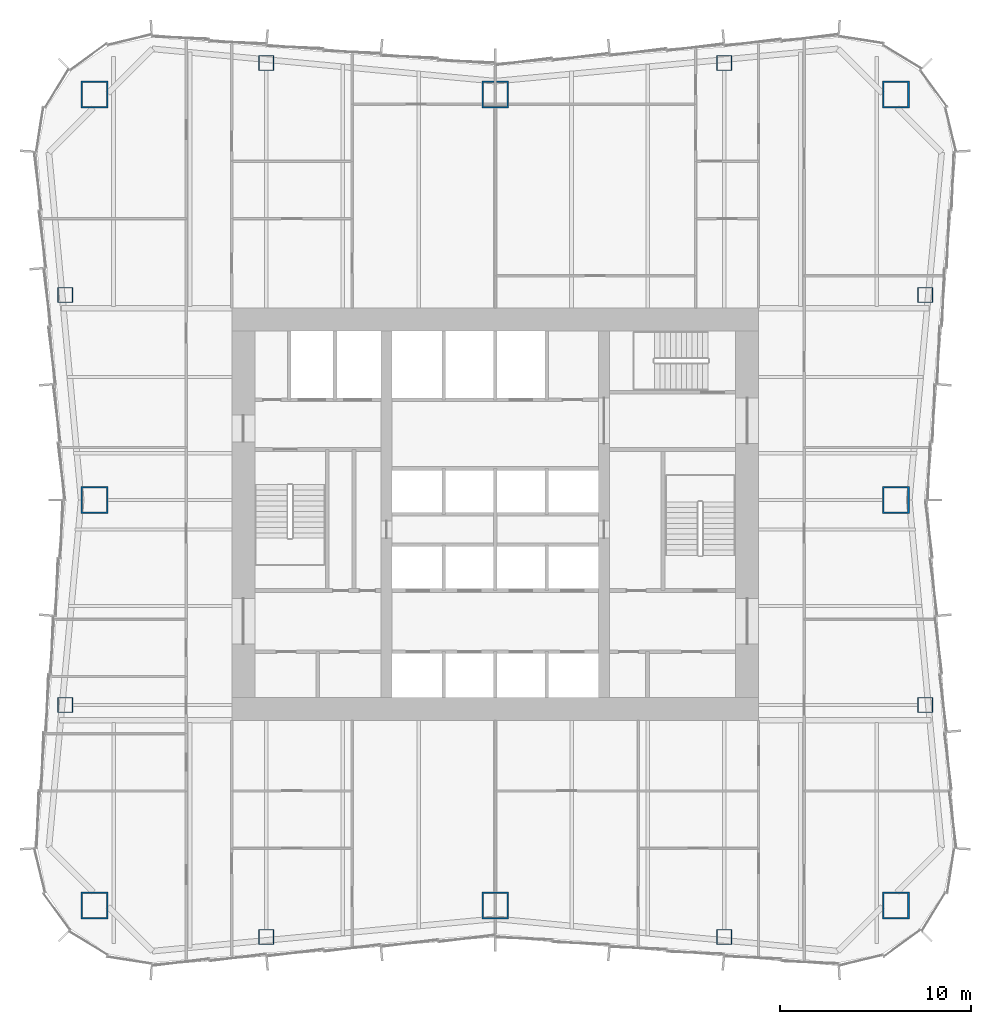
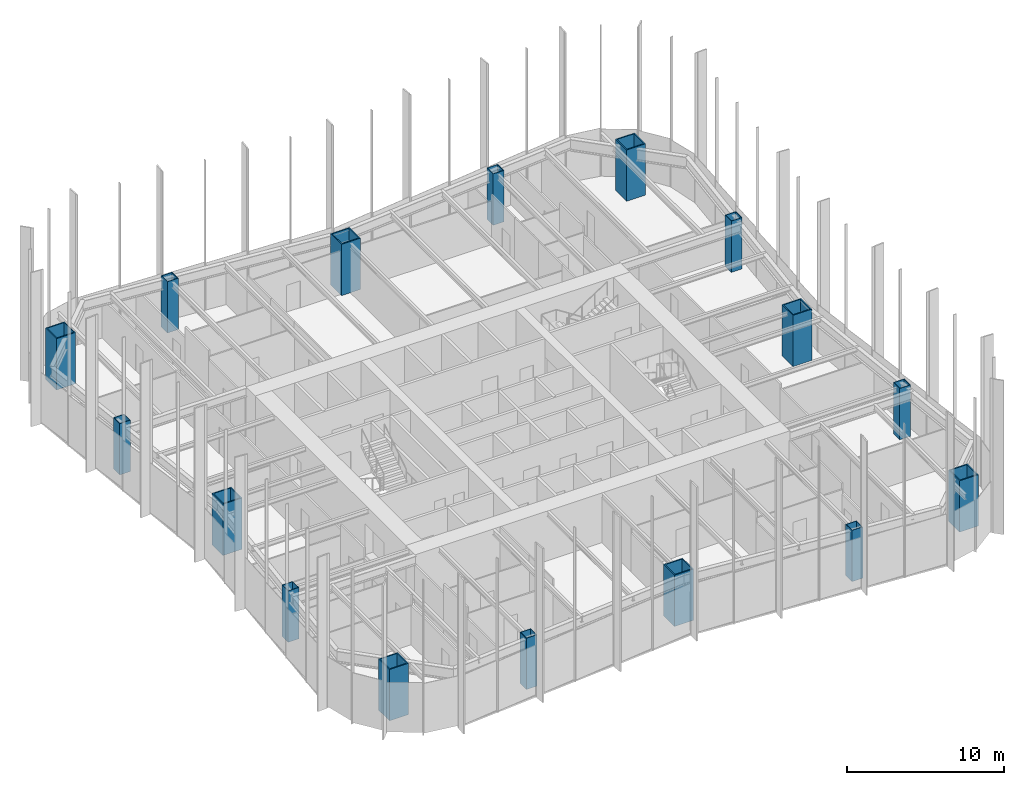
# One storey, part 1 of 13: 16 columns.
"""IFC4 building model written with IfcOpenShell, lengths in metres."""

from ifc_helpers import new_model, si_unit, direction, frame, origin, origin_2d, place, context, subcontext, project, spatial, hollow_rectangle, extrude, material, material_profile, profile_set, type_object, element, save


model = new_model("IFC4")

# Units and contexts
model_context = context("Model", 3, precision=1e-05, world=origin(), true_north=direction((0.0, 1.0)))
body_context = subcontext(model_context, "Body", "Model", "MODEL_VIEW")
ifc_project = project(units=[si_unit("LENGTHUNIT", "METRE"), si_unit("AREAUNIT", "SQUARE_METRE"), si_unit("VOLUMEUNIT", "CUBIC_METRE"), si_unit("PLANEANGLEUNIT", "RADIAN"), si_unit("MASSUNIT", "GRAM", prefix="KILO")], contexts=[model_context])

# Site, building, storey
site_placement = place(None, origin())
site = spatial("IfcSite", under=ifc_project, at=site_placement, CompositionType="ELEMENT")
building_placement = place(site_placement, origin())
building = spatial("IfcBuilding", under=site, at=building_placement, Name="Verdant Reach Tower", CompositionType="ELEMENT")
storey_placement = place(building_placement, frame((0.0, 0.0, 94.0)))
storey = spatial("IfcBuildingStorey", under=building, at=storey_placement, Name="L21", CompositionType="ELEMENT", Elevation=94.0)

# Columns
ifc_material = material(Name="Steel S460", Category="steel")
ifc_material_profile_1 = material_profile(ifc_material, hollow_rectangle(XDim=1.39990234375, YDim=1.39990234375, WallThickness=0.080078125, at=origin_2d()), Name="WB 1400x1400x80")
ifc_profile_set_1 = profile_set([ifc_material_profile_1], Name="Steel S460")
column_type_1 = type_object("IfcColumnType", Name="ST-COL-WB1400x1400x80", PredefinedType="COLUMN", material=ifc_profile_set_1)
for number, where, z_axis, x_axis, name in (
    (1, (-21.0, 50.0, 0.0), (0.0, 0.0, 1.0), (1.0, 0.0, 0.0), "Mega column north-west, L21"),
    (2, (0.0, 50.0, 0.0), (0.0, 0.0, 1.0), (1.0, 0.0, 0.0), "Mega column north, L21"),
    (3, (21.0, 50.0, 0.0), (0.0, 0.0, 1.0), (1.0, 0.0, 0.0), "Mega column north-east, L21"),
    (4, (21.0, 28.75, 0.0), (0.0, 0.0, 1.0), (1.0, 0.0, 0.0), "Mega column east, L21"),
    (5, (21.0, 7.5, 0.0), (0.0, 0.0, 1.0), (1.0, 0.0, 0.0), "Mega column south-east, L21"),
    (6, (0.0, 7.5, 0.0), (0.0, 0.0, 1.0), (1.0, 0.0, 0.0), "Mega column south, L21"),
    (7, (-21.0, 7.5, 0.0), (0.0, 0.0, 1.0), (1.0, 0.0, 0.0), "Mega column south-west, L21"),
    (8, (-21.0, 28.75, 0.0), (0.0, 0.0, 1.0), (1.0, 0.0, 0.0), "Mega column west, L21"),
):
    element("IfcColumn", number, at=place(storey_placement, frame(where, z_axis=z_axis, x_axis=x_axis)), inside=storey, type_object=column_type_1, Name=name, PredefinedType="COLUMN", context=body_context, shape_type="SweptSolid", body=[
        extrude(hollow_rectangle(XDim=1.39990234375, YDim=1.39990234375, WallThickness=0.080078125, at=origin_2d()), origin(), (0.0, 0.0, 1.0), 4.0),
    ])
ifc_material_profile_2 = material_profile(ifc_material, hollow_rectangle(XDim=0.800048828125, YDim=0.800048828125, WallThickness=0.0400390625, at=origin_2d()), Name="WB 800x800x40")
ifc_profile_set_2 = profile_set([ifc_material_profile_2], Name="Steel S460")
column_type_2 = type_object("IfcColumnType", Name="ST-COL-WB800x800x40", PredefinedType="COLUMN", material=ifc_profile_set_2)
for number, where, z_axis, x_axis, name in (
    (9, (-12.0, 51.64990234375, 0.0), (0.0, 0.0, 1.0), (1.0, 0.0, 0.0), "Perimeter column north 1, L21"),
    (10, (12.0, 51.64990234375, 0.0), (0.0, 0.0, 1.0), (1.0, 0.0, 0.0), "Perimeter column north 2, L21"),
    (11, (-12.0, 5.85009765625, 0.0), (0.0, 0.0, 1.0), (1.0, 0.0, 0.0), "Perimeter column south 1, L21"),
    (12, (12.0, 5.85009765625, 0.0), (0.0, 0.0, 1.0), (1.0, 0.0, 0.0), "Perimeter column south 2, L21"),
    (13, (22.53369140625, 18.0, 0.0), (0.0, 0.0, 1.0), (1.0, 0.0, 0.0), "Perimeter column east 1, L21"),
    (14, (22.53369140625, 39.5, 0.0), (0.0, 0.0, 1.0), (1.0, 0.0, 0.0), "Perimeter column east 2, L21"),
    (15, (-22.53369140625, 18.0, 0.0), (0.0, 0.0, 1.0), (1.0, 0.0, 0.0), "Perimeter column west 1, L21"),
    (16, (-22.53369140625, 39.5, 0.0), (0.0, 0.0, 1.0), (1.0, 0.0, 0.0), "Perimeter column west 2, L21"),
):
    element("IfcColumn", number, at=place(storey_placement, frame(where, z_axis=z_axis, x_axis=x_axis)), inside=storey, type_object=column_type_2, Name=name, PredefinedType="COLUMN", context=body_context, shape_type="SweptSolid", body=[
        extrude(hollow_rectangle(XDim=0.800048828125, YDim=0.800048828125, WallThickness=0.0400390625, at=origin_2d()), origin(), (0.0, 0.0, 1.0), 4.0),
    ])

save(model, "model.ifc")
